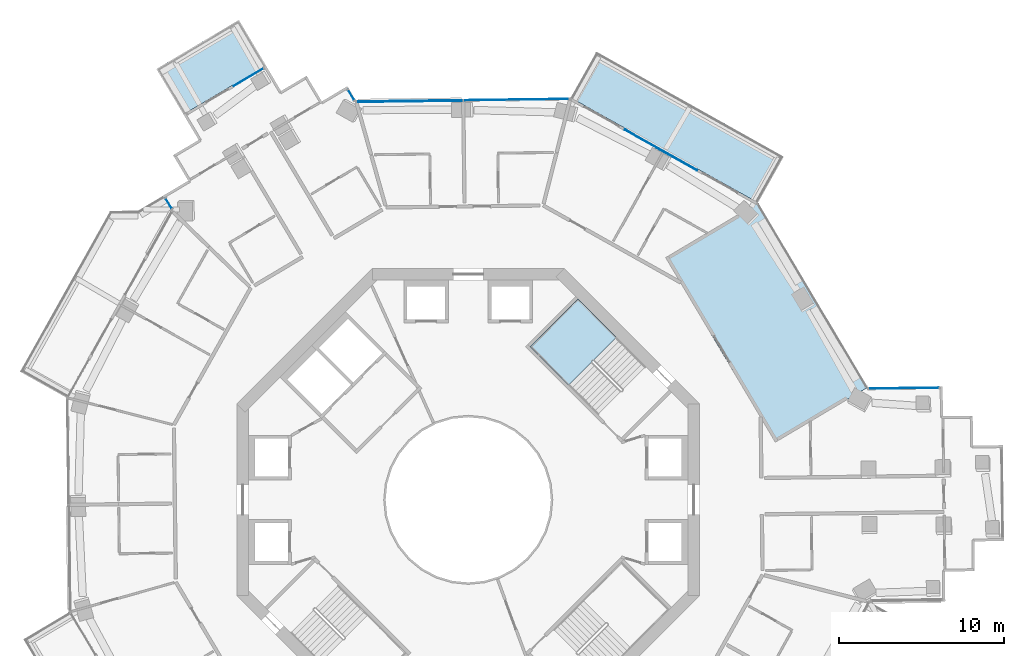
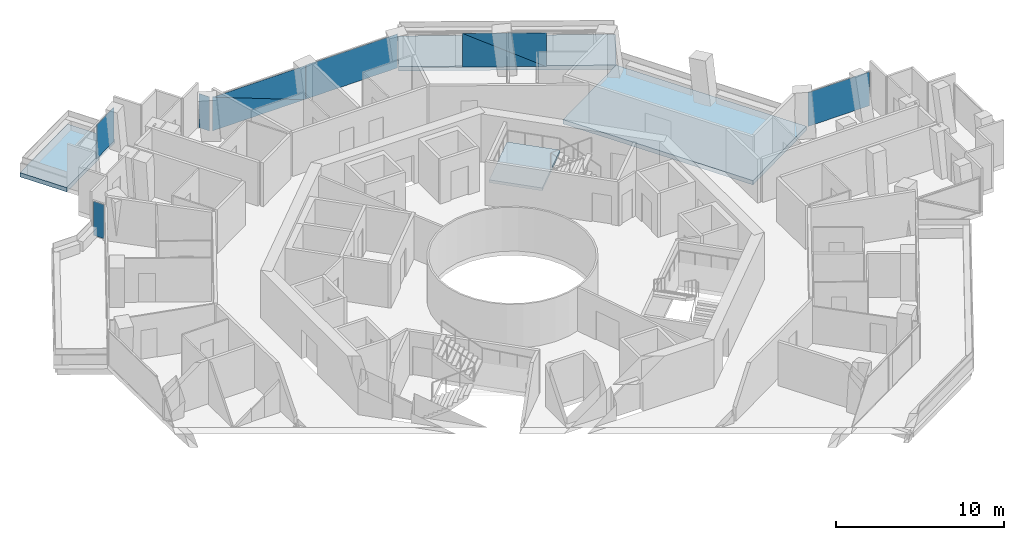
# One storey, part 12 of 21: 9 plates, 4 slabs, 7 elements without a shape of their own.
"""IFC4 building model written with IfcOpenShell, lengths in metres."""

from ifc_helpers import new_model, si_unit, direction, frame, origin, origin_2d, place, context, subcontext, project, spatial, polyline, rectangle, outline, extrude, material, layer, layer_set, type_object, element, aggregate, save


model = new_model("IFC4")

# Units and contexts
model_context = context("Model", 3, precision=1e-05, world=origin(), true_north=direction((0.0, 1.0)))
body_context = subcontext(model_context, "Body", "Model", "MODEL_VIEW")
ifc_project = project(units=[si_unit("LENGTHUNIT", "METRE"), si_unit("AREAUNIT", "SQUARE_METRE"), si_unit("VOLUMEUNIT", "CUBIC_METRE"), si_unit("PLANEANGLEUNIT", "RADIAN"), si_unit("MASSUNIT", "GRAM", prefix="KILO")], contexts=[model_context])

# Site, building, storey
site_placement = place(None, origin())
site = spatial("IfcSite", under=ifc_project, at=site_placement, CompositionType="ELEMENT")
building_placement = place(site_placement, origin())
building = spatial("IfcBuilding", under=site, at=building_placement, Name="Verdalira Terraces Hotel", CompositionType="ELEMENT")
storey_placement = place(building_placement, frame((0.0, 0.0, 158.5)))
storey = spatial("IfcBuildingStorey", under=building, at=storey_placement, Name="L38", CompositionType="ELEMENT", Elevation=158.5)

# Slabs
ifc_material_1 = material(Name="Precast concrete C40/50", Category="concrete")
ifc_layer_1 = layer(ifc_material_1, 0.31005859375)
ifc_layer_set_1 = layer_set([ifc_layer_1], Name="Balcony deck 310")
slab_type_1 = type_object("IfcSlabType", Name="Balcony deck 310", PredefinedType="FLOOR", material=ifc_layer_set_1)
slab_1_placement = place(storey_placement, frame((0.0, 0.0, -0.310059)))
element("IfcSlab", 1, at=slab_1_placement, inside=storey, type_object=slab_type_1, Name="Balcony deck", PredefinedType="FLOOR", context=body_context, shape_type="SweptSolid", body=[
    extrude(outline(polyline([(-18.869873, 26.078369), (-17.235107, 23.327393), (-12.249023, 26.290283), (-13.883789, 29.04126), (-18.869873, 26.078369)])), origin(), (0.0, 0.0, 1.0), 0.310059),
])
slab_2_placement = place(storey_placement, frame((0.0, 0.0, -0.310059)))
element("IfcSlab", 2, at=slab_2_placement, inside=storey, type_object=slab_type_1, Name="Balcony deck", PredefinedType="FLOOR", context=body_context, shape_type="SweptSolid", body=[
    extrude(outline(polyline([(7.759766, 27.12915), (6.19458, 24.338135), (17.533691, 17.97998), (19.098877, 20.77124), (7.759766, 27.12915)])), origin(), (0.0, 0.0, 1.0), 0.310059),
])

# Curtain wall, plates
ifc_material_2 = material(Name="Clear glass", Category="glass")
ifc_layer_2 = layer(ifc_material_2, 0.14990234375)
ifc_layer_set_2 = layer_set([ifc_layer_2], Name="CW1 curtain wall")
curtain_wall_type_1 = type_object("IfcCurtainWallType", Name="CW1 curtain wall", PredefinedType="NOTDEFINED", material=ifc_layer_set_2)
curtain_wall_1_placement = place(storey_placement, origin())
curtain_wall_1 = element("IfcCurtainWall", 3, at=curtain_wall_1_placement, inside=storey, type_object=curtain_wall_type_1, Name="CW1 curtain wall L38 edge 40", PredefinedType="NOTDEFINED")
ifc_material_3 = material(Name="Clear glass", Category="glass")
ifc_layer_3 = layer(ifc_material_3, 0.028076171875)
ifc_layer_set_3 = layer_set([ifc_layer_3], Name="CW1 glass unit 28")
plate_type_1 = type_object("IfcPlateType", Name="CW1 glass unit 28", PredefinedType="CURTAIN_PANEL", material=ifc_layer_set_3)
plate_1_placement = place(storey_placement, frame((11.664795, 21.168945, 1.237549), z_axis=(0.489078012, 0.872240046, 0.0), x_axis=(-0.872240046, 0.489078012, 0.0)))
plate_1 = element("IfcPlate", 4, at=plate_1_placement, type_object=plate_type_1, Name="CW1 glass unit", PredefinedType="CURTAIN_PANEL", context=body_context, shape_type="SweptSolid", body=[
    extrude(outline(polyline([(-2.510742, -1.237549), (2.510742, -1.237549), (2.510742, 1.237549), (-2.510742, -1.237549)])), origin(), (0.0, 0.0, 1.0), 0.028076),
])
plate_2_placement = place(storey_placement, frame((11.650635, 21.143555, 1.237549), z_axis=(0.489078012, 0.872240046, 0.0), x_axis=(-0.872240046, 0.489078012, 0.0)))
plate_2 = element("IfcPlate", 5, at=plate_2_placement, type_object=plate_type_1, Name="CW1 glass unit", PredefinedType="CURTAIN_PANEL", context=body_context, shape_type="SweptSolid", body=[
    extrude(outline(polyline([(-2.510742, -1.237549), (2.510742, 1.237549), (-2.510742, 1.237549), (-2.510742, -1.237549)])), origin(), (0.0, 0.0, 1.0), 0.028076),
])
aggregate(curtain_wall_1, [plate_1, plate_2])

curtain_wall_2_placement = place(storey_placement, origin())
curtain_wall_2 = element("IfcCurtainWall", 6, at=curtain_wall_2_placement, inside=storey, type_object=curtain_wall_type_1, Name="CW1 curtain wall L38 edge 41", PredefinedType="NOTDEFINED")
plate_3_placement = place(storey_placement, frame((2.910645, 24.221924, 0.0), z_axis=(0.0, 0.0, 1.0), x_axis=(-0.999921044, -0.01256604, 0.0)))
plate_3 = element("IfcPlate", 7, at=plate_3_placement, type_object=plate_type_1, Name="CW1 glass unit", PredefinedType="CURTAIN_PANEL", context=body_context, shape_type="SweptSolid", body=[
    extrude(rectangle(XDim=6.369873, YDim=0.028076, at=origin_2d()), origin(), (0.0, 0.0, 1.0), 2.475098),
])
plate_4_placement = place(storey_placement, frame((-3.53833, 24.126953, 1.237549), z_axis=(-0.01256604, 0.999921044, 0.0), x_axis=(-0.999921044, -0.01256604, 0.0)))
plate_4 = element("IfcPlate", 8, at=plate_4_placement, type_object=plate_type_1, Name="CW1 glass unit", PredefinedType="CURTAIN_PANEL", context=body_context, shape_type="SweptSolid", body=[
    extrude(outline(polyline([(-3.205078, -1.237549), (3.205078, -1.237549), (3.205078, 1.237549), (-3.205078, -1.237549)])), origin(), (0.0, 0.0, 1.0), 0.028076),
])
plate_5_placement = place(storey_placement, frame((-3.538086, 24.0979, 1.237549), z_axis=(-0.01256604, 0.999921044, 0.0), x_axis=(-0.999921044, -0.01256604, 0.0)))
plate_5 = element("IfcPlate", 9, at=plate_5_placement, type_object=plate_type_1, Name="CW1 glass unit", PredefinedType="CURTAIN_PANEL", context=body_context, shape_type="SweptSolid", body=[
    extrude(outline(polyline([(-3.205078, -1.237549), (3.205078, 1.237549), (-3.205078, 1.237549), (-3.205078, -1.237549)])), origin(), (0.0, 0.0, 1.0), 0.028076),
])
aggregate(curtain_wall_2, [plate_3, plate_4, plate_5])

# Curtain wall, plate
ifc_material_4 = material(Name="Clear glass", Category="glass")
ifc_layer_4 = layer(ifc_material_4, 0.14990234375)
ifc_layer_set_4 = layer_set([ifc_layer_4], Name="CW2 curtain wall")
curtain_wall_type_2 = type_object("IfcCurtainWallType", Name="CW2 curtain wall", PredefinedType="NOTDEFINED", material=ifc_layer_set_4)
curtain_wall_3_placement = place(storey_placement, origin())
curtain_wall_3 = element("IfcCurtainWall", 10, at=curtain_wall_3_placement, inside=storey, type_object=curtain_wall_type_2, Name="CW2 curtain wall L38 edge 0", PredefinedType="NOTDEFINED")
ifc_material_5 = material(Name="Clear glass", Category="glass")
ifc_layer_5 = layer(ifc_material_5, 0.031982421875)
ifc_layer_set_5 = layer_set([ifc_layer_5], Name="CW2 glass unit 32")
plate_type_2 = type_object("IfcPlateType", Name="CW2 glass unit 32", PredefinedType="CURTAIN_PANEL", material=ifc_layer_set_5)
plate_6_placement = place(storey_placement, frame((-7.085938, 24.501709, 0.0), z_axis=(0.0, 0.0, 1.0), x_axis=(-0.510843032, 0.859674006, 0.0)))
plate_6 = element("IfcPlate", 11, at=plate_6_placement, type_object=plate_type_2, Name="CW2 glass unit", PredefinedType="CURTAIN_PANEL", context=body_context, shape_type="SweptSolid", body=[
    extrude(rectangle(XDim=0.709961, YDim=0.031982, at=origin_2d()), origin(), (0.0, 0.0, 1.0), 2.475098),
])
aggregate(curtain_wall_3, [plate_6])

curtain_wall_4_placement = place(storey_placement, origin())
curtain_wall_4 = element("IfcCurtainWall", 12, at=curtain_wall_4_placement, inside=storey, type_object=curtain_wall_type_2, Name="CW2 curtain wall L38 edge 10", PredefinedType="NOTDEFINED")
plate_7_placement = place(storey_placement, frame((-18.132812, 17.9375, 0.0), z_axis=(0.0, 0.0, 1.0), x_axis=(0.510843032, -0.859674006, 0.0)))
plate_7 = element("IfcPlate", 13, at=plate_7_placement, type_object=plate_type_2, Name="CW2 glass unit", PredefinedType="CURTAIN_PANEL", context=body_context, shape_type="SweptSolid", body=[
    extrude(rectangle(XDim=0.709961, YDim=0.031982, at=origin_2d()), origin(), (0.0, 0.0, 1.0), 2.475098),
])
aggregate(curtain_wall_4, [plate_7])

curtain_wall_5_placement = place(storey_placement, origin())
curtain_wall_5 = element("IfcCurtainWall", 14, at=curtain_wall_5_placement, inside=storey, type_object=curtain_wall_type_2, Name="CW2 curtain wall L38 edge 38", PredefinedType="NOTDEFINED")
plate_8_placement = place(storey_placement, frame((26.367432, 6.756836, 0.0), z_axis=(0.0, 0.0, 1.0), x_axis=(-0.999921044, -0.01256604, 0.0)))
plate_8 = element("IfcPlate", 15, at=plate_8_placement, type_object=plate_type_2, Name="CW2 glass unit", PredefinedType="CURTAIN_PANEL", context=body_context, shape_type="SweptSolid", body=[
    extrude(rectangle(XDim=4.243652, YDim=0.031982, at=origin_2d()), origin(), (0.0, 0.0, 1.0), 2.475098),
])
aggregate(curtain_wall_5, [plate_8])

ifc_material_6 = material(Name="Clear glass", Category="glass")
ifc_layer_6 = layer(ifc_material_6, 0.14990234375)
ifc_layer_set_6 = layer_set([ifc_layer_6], Name="CW3 curtain wall")
curtain_wall_type_3 = type_object("IfcCurtainWallType", Name="CW3 curtain wall", PredefinedType="NOTDEFINED", material=ifc_layer_set_6)
curtain_wall_6_placement = place(storey_placement, origin())
curtain_wall_6 = element("IfcCurtainWall", 16, at=curtain_wall_6_placement, inside=storey, type_object=curtain_wall_type_3, Name="CW3 curtain wall L38 edge 5", PredefinedType="NOTDEFINED")
ifc_material_7 = material(Name="Clear glass", Category="glass")
ifc_layer_7 = layer(ifc_material_7, 0.035888671875)
ifc_layer_set_7 = layer_set([ifc_layer_7], Name="CW3 glass unit 36")
plate_type_3 = type_object("IfcPlateType", Name="CW3 glass unit 36", PredefinedType="CURTAIN_PANEL", material=ifc_layer_set_7)
plate_9_placement = place(storey_placement, frame((-13.30249, 25.576904, 0.0), z_axis=(0.0, 0.0, 1.0), x_axis=(-0.859674006, -0.510843032, 0.0)))
plate_9 = element("IfcPlate", 17, at=plate_9_placement, type_object=plate_type_3, Name="CW3 glass unit", PredefinedType="CURTAIN_PANEL", context=body_context, shape_type="SweptSolid", body=[
    extrude(rectangle(XDim=2.080078, YDim=0.035889, at=origin_2d()), origin(), (0.0, 0.0, 1.0), 2.475098),
])
aggregate(curtain_wall_6, [plate_9])

# Stair, slab
ifc_material_8 = material(Name="Concrete C40", Category="concrete")
stair_type = type_object("IfcStairType", Name="Core stair 20 risers 2000 mm wide", PredefinedType="HALF_TURN_STAIR", material=ifc_material_8)
stair_placement = place(storey_placement, origin())
stair = element("IfcStair", 18, at=stair_placement, inside=storey, type_object=stair_type, Name="L38 Exit stair ST1", PredefinedType="HALF_TURN_STAIR")
ifc_material_9 = material(Name="Concrete C40", Category="concrete")
ifc_layer_8 = layer(ifc_material_9, 0.199951171875)
ifc_layer_set_8 = layer_set([ifc_layer_8], Name="Core stair landing 200 mm")
slab_type_2 = type_object("IfcSlabType", Name="Core stair landing 200 mm", PredefinedType="LANDING", material=ifc_layer_set_8)
slab_3_placement = place(storey_placement, frame((0.0, 0.0, 1.550049)))
slab_3 = element("IfcSlab", 19, at=slab_3_placement, type_object=slab_type_2, Name="ST1 landing 1", PredefinedType="LANDING", context=body_context, shape_type="SweptSolid", body=[
    extrude(outline(polyline([(8.966553, 9.842529), (6.646729, 12.162354), (3.747559, 9.263184), (6.067383, 6.943359), (8.966553, 9.842529)])), origin(), (0.0, 0.0, 1.0), 0.199951),
])
aggregate(stair, [slab_3])

# Slab
ifc_material_10 = material(Name="Concrete C40", Category="concrete")
ifc_layer_9 = layer(ifc_material_10, 0.31005859375)
ifc_layer_set_9 = layer_set([ifc_layer_9], Name="Loggia floor deck 310 C40")
slab_type_3 = type_object("IfcSlabType", Name="Loggia floor deck 310 C40", PredefinedType="FLOOR", material=ifc_layer_set_9)
slab_4_placement = place(storey_placement, frame((0.0, 0.0, -0.310059)))
element("IfcSlab", 20, at=slab_4_placement, inside=storey, type_object=slab_type_3, Name="Loggia deck L38", PredefinedType="FLOOR", context=body_context, shape_type="SweptSolid", body=[
    extrude(outline(polyline([(18.586914, 3.483887), (24.174805, 6.804199), (17.533691, 17.97998), (11.945801, 14.659668), (18.586914, 3.483887)])), origin(), (0.0, 0.0, 1.0), 0.310059),
])

save(model, "model.ifc")
